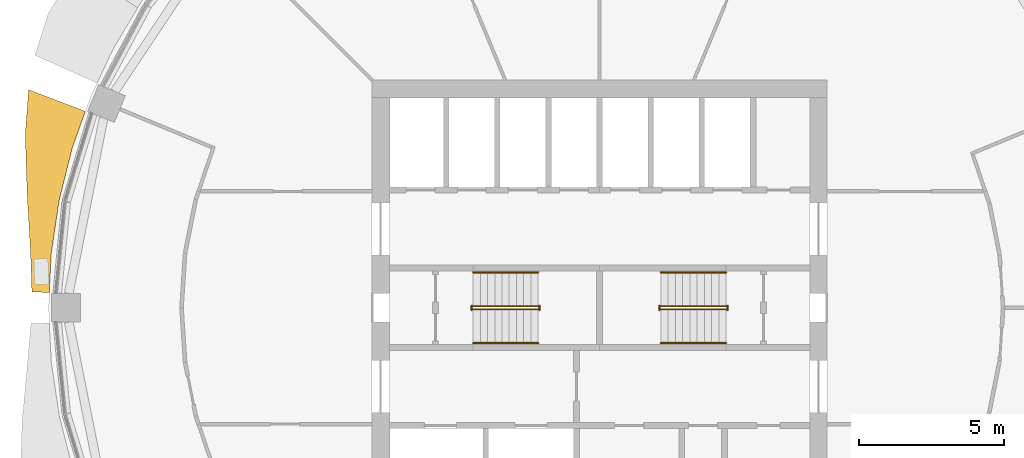
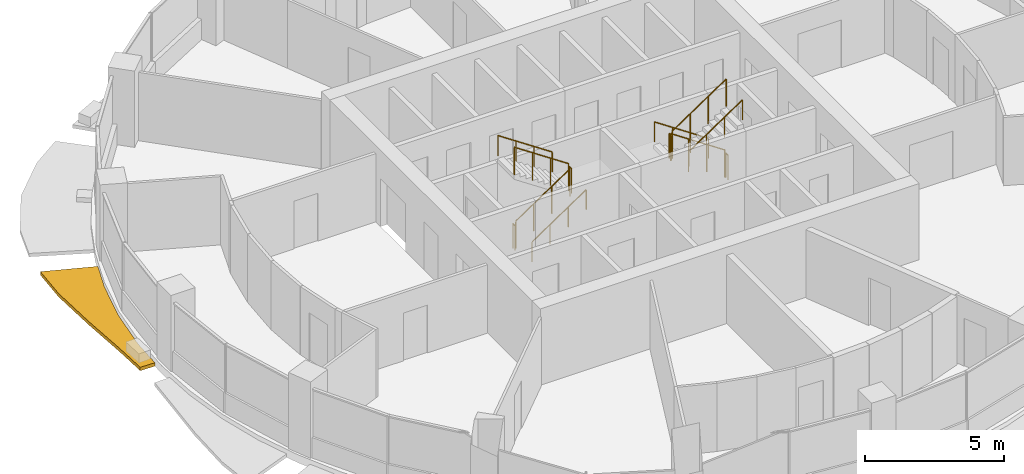
# One storey, part 13 of 15: 12 railings, 1 shading device.
"""IFC4 building model written with IfcOpenShell, lengths in metres."""

import ifcopenshell
import ifcopenshell.guid

model = None  # the IFC model being written
_history = None  # IfcOwnerHistory: only IFC2X3 demands one
_inside = {}  # id of a spatial element -> (the spatial element, [elements in it])
_under = {}  # id of a project, library or spatial element -> (it, [spatial elements below it])
_declared = {}  # id of a project -> (the project, [libraries it declares])
_typed = {}  # id of a type object -> (the type object, [elements of that type])
_made_of = {}  # id of a material, layer set ... -> (it, [elements and type objects made of it])


def new_model(schema):
    """Start an empty IFC model of exactly this schema.

    Asked for "IFC4X3", IfcOpenShell would pick the latest addendum, in which some entities
    have other attributes; the version numbers below select the first issue.
    IFC2X3 requires an IfcOwnerHistory on every rooted entity: one is made here for all.
    """
    global model, _history
    if schema == "IFC4X3":
        model = ifcopenshell.file(schema_version=(4, 3, 0, 0))
    else:
        model = ifcopenshell.file(schema=schema)
    _inside.clear()
    _under.clear()
    _declared.clear()
    _typed.clear()
    _made_of.clear()
    _history = None
    if model.schema == "IFC2X3":
        org = make("IfcOrganization", Name="unknown")
        user = make(
            "IfcPersonAndOrganization",
            ThePerson=make("IfcPerson", FamilyName="unknown"),
            TheOrganization=org,
        )
        app = make(
            "IfcApplication",
            ApplicationDeveloper=org,
            Version="unknown",
            ApplicationFullName="unknown",
            ApplicationIdentifier="unknown",
        )
        _history = make(
            "IfcOwnerHistory",
            OwningUser=user,
            OwningApplication=app,
            ChangeAction="ADDED",
            CreationDate=0,
        )
    return model


def make(cls, **values):
    """One entity of the class cls with the attributes given. An attribute that is None is left unset."""
    return model.create_entity(
        cls, **{name: value for name, value in values.items() if value is not None}
    )


def rooted(cls, **values):
    """An entity with a GlobalId (a new one), such as an element, a storey or a relation."""
    return make(cls, GlobalId=ifcopenshell.guid.new(), OwnerHistory=_history, **values)


def si_unit(unit_type, name, prefix=None):
    """IfcSIUnit, for example si_unit("LENGTHUNIT", "METRE", prefix="MILLI")."""
    return make("IfcSIUnit", UnitType=unit_type, Prefix=prefix, Name=name)


def assignment(units):
    """IfcUnitAssignment: the units of a project."""
    return None if units is None else make("IfcUnitAssignment", Units=units)


def point(xyz):
    """IfcCartesianPoint."""
    return None if xyz is None else make("IfcCartesianPoint", Coordinates=xyz)


def direction(xyz):
    """IfcDirection."""
    return None if xyz is None else make("IfcDirection", DirectionRatios=xyz)


def frame(location, z_axis=None, x_axis=None):
    """IfcAxis2Placement3D, a coordinate frame: its origin and axes. An axis left out is left unset."""
    return make(
        "IfcAxis2Placement3D",
        Location=point(location),
        Axis=direction(z_axis),
        RefDirection=direction(x_axis),
    )


def frame_2d(location, x_axis=None):
    """IfcAxis2Placement2D, a coordinate frame in the plane: its origin and x axis."""
    return make(
        "IfcAxis2Placement2D", Location=point(location), RefDirection=direction(x_axis)
    )


def origin():
    """The frame at (0, 0, 0) with its axes left unset."""
    return frame((0.0, 0.0, 0.0))


def origin_2d():
    """The frame at (0, 0) in the plane with its x axis left unset."""
    return frame_2d((0.0, 0.0))


def place(relative_to, where):
    """IfcLocalPlacement: puts the frame where relative to a parent placement (None: the world)."""
    return make(
        "IfcLocalPlacement", PlacementRelTo=relative_to, RelativePlacement=where
    )


def context(
    kind, dimensions, precision=None, world=None, true_north=None, identifier=None
):
    """IfcGeometricRepresentationContext, for example the 3D "Model" context."""
    return make(
        "IfcGeometricRepresentationContext",
        ContextIdentifier=identifier,
        ContextType=kind,
        CoordinateSpaceDimension=dimensions,
        Precision=precision,
        WorldCoordinateSystem=world,
        TrueNorth=true_north,
    )


def subcontext(parent, identifier, kind, view, scale=None):
    """IfcGeometricRepresentationSubContext, for example "Body" below "Model"."""
    return make(
        "IfcGeometricRepresentationSubContext",
        ContextIdentifier=identifier,
        ContextType=kind,
        ParentContext=parent,
        TargetScale=scale,
        TargetView=view,
    )


def project(units=None, contexts=None):
    """IfcProject with its units and contexts."""
    return rooted(
        "IfcProject",
        Name="project",
        RepresentationContexts=contexts,
        UnitsInContext=assignment(units),
    )


def spatial(cls, under=None, at=None, **own):
    """A site, building, storey or space (cls), placed at a placement, below another one or the project."""
    s = rooted(cls, ObjectPlacement=at, **own)
    if under is not None:
        _under.setdefault(under.id(), (under, []))[1].append(s)
    return s


def polyline(points):
    """IfcPolyline through the points."""
    return make("IfcPolyline", Points=[point(p) for p in points])


def profile(cls, at=None, kind="AREA", **sizes):
    """A parametric profile (cls). Its sizes go by their IFC names, for example OverallWidth=200.0."""
    return make(cls, ProfileType=kind, Position=at, **sizes)


def circle(**sizes):
    """IfcCircleProfileDef."""
    return profile("IfcCircleProfileDef", **sizes)


def outline(outer, holes=None, kind="AREA"):
    """IfcArbitraryClosedProfileDef: a profile drawn as a closed curve; with holes, ...WithVoids."""
    if holes is None:
        return make("IfcArbitraryClosedProfileDef", ProfileType=kind, OuterCurve=outer)
    return make(
        "IfcArbitraryProfileDefWithVoids",
        ProfileType=kind,
        OuterCurve=outer,
        InnerCurves=holes,
    )


def extrude(swept, where, along, depth):
    """IfcExtrudedAreaSolid: the profile swept, set in the frame where, extruded along a direction by depth."""
    return make(
        "IfcExtrudedAreaSolid",
        SweptArea=swept,
        Position=where,
        ExtrudedDirection=direction(along),
        Depth=depth,
    )


def shape(context_of_items, identifier, shape_type, items):
    """IfcShapeRepresentation: the items that make up one representation, for example the "Body"."""
    return make(
        "IfcShapeRepresentation",
        ContextOfItems=context_of_items,
        RepresentationIdentifier=identifier,
        RepresentationType=shape_type,
        Items=items,
    )


def material(Name=None, Category=None):
    """IfcMaterial."""
    return make("IfcMaterial", Name=Name, Category=Category)


def made_of(thing, what):
    """Note that an element or type object is made of a material, layer set ...; save() writes the relation."""
    if what is not None:
        _made_of.setdefault(what.id(), (what, []))[1].append(thing)
    return thing


def type_object(cls, material=None, **own):
    """A type object (cls), such as IfcWallType, which elements share."""
    return made_of(rooted(cls, **own), material)


def element(
    cls,
    number,
    at=None,
    inside=None,
    cuts=None,
    type_object=None,
    material=None,
    context=None,
    identifier="Body",
    shape_type=None,
    held_by="IfcProductDefinitionShape",
    body=None,
    shapes=None,
    **own,
):
    """One element of the class cls, such as IfcWall. Its Tag is "e" and its number.

    at: its placement. inside: the storey or other place that contains it. cuts: it is an
    opening in that element (IfcRelVoidsElement). A single representation is given by context,
    identifier, shape_type and body (its items); several are given by shapes. held_by: the class
    of the entity that holds the representations. save() writes the other relations.
    """
    e = rooted(cls, Tag="e%d" % number, ObjectPlacement=at, **own)
    if body is not None:
        shapes = [shape(context, identifier, shape_type, body)]
    if shapes is not None:
        e.Representation = make(held_by, Representations=shapes)
    if inside is not None:
        _inside.setdefault(inside.id(), (inside, []))[1].append(e)
    if cuts is not None:
        rooted(
            "IfcRelVoidsElement", RelatingBuildingElement=cuts, RelatedOpeningElement=e
        )
    if type_object is not None:
        _typed.setdefault(type_object.id(), (type_object, []))[1].append(e)
    return made_of(e, material)


def aggregate(whole, parts):
    """IfcRelAggregates: a whole, such as a stair, and the parts it consists of."""
    return rooted("IfcRelAggregates", RelatingObject=whole, RelatedObjects=parts)


def save(model, path):
    """Write the relations noted so far, then the file.

    IfcRelAggregates (storeys below a building ...), IfcRelContainedInSpatialStructure (elements
    in a storey), IfcRelDefinesByType, IfcRelAssociatesMaterial and IfcRelDeclares: one each for
    every whole, place, type object, material and project.
    """
    for whole, parts in _under.values():
        aggregate(whole, parts)
    for where, things in _inside.values():
        rooted(
            "IfcRelContainedInSpatialStructure",
            RelatedElements=things,
            RelatingStructure=where,
        )
    for kind, things in _typed.values():
        rooted("IfcRelDefinesByType", RelatedObjects=things, RelatingType=kind)
    for what, things in _made_of.values():
        rooted("IfcRelAssociatesMaterial", RelatedObjects=things, RelatingMaterial=what)
    for by, libraries in _declared.values():
        rooted("IfcRelDeclares", RelatingContext=by, RelatedDefinitions=libraries)
    model.write(path)


model = new_model("IFC4")

# Units and contexts
model_context = context("Model", 3, precision=1e-05, world=origin(), true_north=direction((0.0, 1.0)))
body_context = subcontext(model_context, "Body", "Model", "MODEL_VIEW")
ifc_project = project(units=[si_unit("LENGTHUNIT", "METRE"), si_unit("AREAUNIT", "SQUARE_METRE"), si_unit("VOLUMEUNIT", "CUBIC_METRE"), si_unit("PLANEANGLEUNIT", "RADIAN"), si_unit("MASSUNIT", "GRAM", prefix="KILO")], contexts=[model_context])

# Site, building, storey
site_placement = place(None, origin())
site = spatial("IfcSite", under=ifc_project, at=site_placement, CompositionType="ELEMENT")
building_placement = place(site_placement, origin())
building = spatial("IfcBuilding", under=site, at=building_placement, Name="Polderwave Tower", CompositionType="ELEMENT")
storey_placement = place(building_placement, frame((0.0, 0.0, 120.949951171875)))
storey = spatial("IfcBuildingStorey", under=building, at=storey_placement, Name="L31", CompositionType="ELEMENT", Elevation=120.949951171875)

# Railings
ifc_material_1 = material(Name="Stainless steel", Category="steel")
railing_type_1 = type_object("IfcRailingType", Name="Stair guard 1100", PredefinedType="GUARDRAIL", material=ifc_material_1)
railing_1_placement = place(storey_placement, frame((-4.3740234375, -0.051025390625, 0.04736328125)))
element("IfcRailing", 1, at=railing_1_placement, inside=storey, type_object=railing_type_1, Name="L31 ST-A stair guard 1", PredefinedType="GUARDRAIL", context=body_context, shape_type="SweptSolid", body=[
    extrude(circle(Radius=0.02392578125, at=origin_2d()), frame((0.0, 0.0, 1.1962890625), z_axis=(0.830758306289, 0.0, 0.556633305266), x_axis=(0.0, 1.0, 0.0)), (0.0, 0.0, 1.0), 2.708251953125),
    extrude(circle(Radius=0.02392578125, at=origin_2d()), origin(), (0.0, 0.0, 1.0), 1.172119140625),
    extrude(circle(Radius=0.02392578125, at=origin_2d()), frame((0.75, 0.0, 0.50244140625)), (0.0, 0.0, 1.0), 1.172119140625),
    extrude(circle(Radius=0.02392578125, at=origin_2d()), frame((1.5, 0.0, 1.005126953125)), (0.0, 0.0, 1.0), 1.172119140625),
    extrude(circle(Radius=0.02392578125, at=origin_2d()), frame((2.25, 0.0, 1.507568359375)), (0.0, 0.0, 1.0), 1.172119140625),
])
railing_2_placement = place(storey_placement, frame((-2.073974609375, -0.074951171875, 1.675048828125)))
element("IfcRailing", 2, at=railing_2_placement, inside=storey, type_object=railing_type_1, Name="L31 ST-A stair guard 2", PredefinedType="GUARDRAIL", context=body_context, shape_type="SweptSolid", body=[
    extrude(circle(Radius=0.02392578125, at=origin_2d()), frame((0.0, 0.0, 1.076171875), z_axis=(0.0, 1.0, 0.0), x_axis=(-1.0, 0.0, 0.0)), (0.0, 0.0, 1.0), 0.14990234375),
    extrude(circle(Radius=0.02099609375, at=origin_2d()), origin(), (0.0, 0.0, 1.0), 1.052001953125),
    extrude(circle(Radius=0.02099609375, at=origin_2d()), frame((0.0, 0.14990234375, 0.0)), (0.0, 0.0, 1.0), 1.052001953125),
])
railing_3_placement = place(storey_placement, frame((-2.1240234375, 0.051025390625, 1.722412109375)))
element("IfcRailing", 3, at=railing_3_placement, inside=storey, type_object=railing_type_1, Name="L31 ST-A stair guard 3", PredefinedType="GUARDRAIL", context=body_context, shape_type="SweptSolid", body=[
    extrude(circle(Radius=0.02392578125, at=origin_2d()), frame((0.0, 0.0, 1.1962890625), z_axis=(-0.830758306289, 0.0, 0.556633305266), x_axis=(0.0, -1.0, 0.0)), (0.0, 0.0, 1.0), 2.708251953125),
    extrude(circle(Radius=0.02392578125, at=origin_2d()), origin(), (0.0, 0.0, 1.0), 1.172119140625),
    extrude(circle(Radius=0.02392578125, at=origin_2d()), frame((-0.75, 0.0, 0.50244140625)), (0.0, 0.0, 1.0), 1.172119140625),
    extrude(circle(Radius=0.02392578125, at=origin_2d()), frame((-1.5, 0.0, 1.005126953125)), (0.0, 0.0, 1.0), 1.172119140625),
    extrude(circle(Radius=0.02392578125, at=origin_2d()), frame((-2.25, 0.0, 1.507568359375)), (0.0, 0.0, 1.0), 1.172119140625),
])
railing_4_placement = place(storey_placement, frame((-4.424072265625, -0.074951171875, 0.0)))
element("IfcRailing", 4, at=railing_4_placement, inside=storey, type_object=railing_type_1, Name="L31 ST-A stair guard 4", PredefinedType="GUARDRAIL", context=body_context, shape_type="SweptSolid", body=[
    extrude(circle(Radius=0.02392578125, at=origin_2d()), frame((0.0, 0.0, 1.076171875), z_axis=(0.0, 1.0, 0.0), x_axis=(-1.0, 0.0, 0.0)), (0.0, 0.0, 1.0), 0.14990234375),
    extrude(circle(Radius=0.02099609375, at=origin_2d()), origin(), (0.0, 0.0, 1.0), 1.052001953125),
    extrude(circle(Radius=0.02099609375, at=origin_2d()), frame((0.0, 0.14990234375, 0.0)), (0.0, 0.0, 1.0), 1.052001953125),
])
railing_5_placement = place(storey_placement, frame((4.3740234375, 0.051025390625, 0.04736328125)))
element("IfcRailing", 5, at=railing_5_placement, inside=storey, type_object=railing_type_1, Name="L31 ST-B stair guard 1", PredefinedType="GUARDRAIL", context=body_context, shape_type="SweptSolid", body=[
    extrude(circle(Radius=0.02392578125, at=origin_2d()), frame((0.0, 0.0, 1.1962890625), z_axis=(-0.830758306289, 0.0, 0.556633305266), x_axis=(0.0, -1.0, 0.0)), (0.0, 0.0, 1.0), 2.708251953125),
    extrude(circle(Radius=0.02392578125, at=origin_2d()), origin(), (0.0, 0.0, 1.0), 1.172119140625),
    extrude(circle(Radius=0.02392578125, at=origin_2d()), frame((-0.75, 0.0, 0.50244140625)), (0.0, 0.0, 1.0), 1.172119140625),
    extrude(circle(Radius=0.02392578125, at=origin_2d()), frame((-1.5, 0.0, 1.005126953125)), (0.0, 0.0, 1.0), 1.172119140625),
    extrude(circle(Radius=0.02392578125, at=origin_2d()), frame((-2.25, 0.0, 1.507568359375)), (0.0, 0.0, 1.0), 1.172119140625),
])
railing_6_placement = place(storey_placement, frame((2.073974609375, 0.074951171875, 1.675048828125)))
element("IfcRailing", 6, at=railing_6_placement, inside=storey, type_object=railing_type_1, Name="L31 ST-B stair guard 2", PredefinedType="GUARDRAIL", context=body_context, shape_type="SweptSolid", body=[
    extrude(circle(Radius=0.02392578125, at=origin_2d()), frame((0.0, 0.0, 1.076171875), z_axis=(0.0, -1.0, 0.0), x_axis=(1.0, 0.0, 0.0)), (0.0, 0.0, 1.0), 0.14990234375),
    extrude(circle(Radius=0.02099609375, at=origin_2d()), origin(), (0.0, 0.0, 1.0), 1.052001953125),
    extrude(circle(Radius=0.02099609375, at=origin_2d()), frame((0.0, -0.14990234375, 0.0)), (0.0, 0.0, 1.0), 1.052001953125),
])
railing_7_placement = place(storey_placement, frame((2.1240234375, -0.051025390625, 1.722412109375)))
element("IfcRailing", 7, at=railing_7_placement, inside=storey, type_object=railing_type_1, Name="L31 ST-B stair guard 3", PredefinedType="GUARDRAIL", context=body_context, shape_type="SweptSolid", body=[
    extrude(circle(Radius=0.02392578125, at=origin_2d()), frame((0.0, 0.0, 1.1962890625), z_axis=(0.830758306289, 0.0, 0.556633305266), x_axis=(0.0, 1.0, 0.0)), (0.0, 0.0, 1.0), 2.708251953125),
    extrude(circle(Radius=0.02392578125, at=origin_2d()), origin(), (0.0, 0.0, 1.0), 1.172119140625),
    extrude(circle(Radius=0.02392578125, at=origin_2d()), frame((0.75, 0.0, 0.50244140625)), (0.0, 0.0, 1.0), 1.172119140625),
    extrude(circle(Radius=0.02392578125, at=origin_2d()), frame((1.5, 0.0, 1.005126953125)), (0.0, 0.0, 1.0), 1.172119140625),
    extrude(circle(Radius=0.02392578125, at=origin_2d()), frame((2.25, 0.0, 1.507568359375)), (0.0, 0.0, 1.0), 1.172119140625),
])
railing_8_placement = place(storey_placement, frame((4.424072265625, 0.074951171875, 0.0)))
element("IfcRailing", 8, at=railing_8_placement, inside=storey, type_object=railing_type_1, Name="L31 ST-B stair guard 4", PredefinedType="GUARDRAIL", context=body_context, shape_type="SweptSolid", body=[
    extrude(circle(Radius=0.02392578125, at=origin_2d()), frame((0.0, 0.0, 1.076171875), z_axis=(0.0, -1.0, 0.0), x_axis=(1.0, 0.0, 0.0)), (0.0, 0.0, 1.0), 0.14990234375),
    extrude(circle(Radius=0.02099609375, at=origin_2d()), origin(), (0.0, 0.0, 1.0), 1.052001953125),
    extrude(circle(Radius=0.02099609375, at=origin_2d()), frame((0.0, -0.14990234375, 0.0)), (0.0, 0.0, 1.0), 1.052001953125),
])
railing_type_2 = type_object("IfcRailingType", Name="Stair handrail 900", PredefinedType="HANDRAIL", material=ifc_material_1)
railing_9_placement = place(storey_placement, frame((-4.3740234375, -1.22509765625, 0.16748046875)))
element("IfcRailing", 9, at=railing_9_placement, inside=storey, type_object=railing_type_2, Name="L31 ST-A stair handrail 1", PredefinedType="HANDRAIL", context=body_context, shape_type="SweptSolid", body=[
    extrude(circle(Radius=0.02392578125, at=origin_2d()), frame((0.0, 0.0, 0.8759765625), z_axis=(0.830758306289, 0.0, 0.556633305266), x_axis=(0.0, 1.0, 0.0)), (0.0, 0.0, 1.0), 2.708251953125),
    extrude(circle(Radius=0.02099609375, at=origin_2d()), origin(), (0.0, 0.0, 1.0), 0.851806640625),
    extrude(circle(Radius=0.02099609375, at=origin_2d()), frame((0.75, 0.0, 0.50244140625)), (0.0, 0.0, 1.0), 0.851806640625),
    extrude(circle(Radius=0.02099609375, at=origin_2d()), frame((1.5, 0.0, 1.005126953125)), (0.0, 0.0, 1.0), 0.851806640625),
    extrude(circle(Radius=0.02099609375, at=origin_2d()), frame((2.25, 0.0, 1.507568359375)), (0.0, 0.0, 1.0), 0.851806640625),
])
for number, where, name in (
    (10, (-2.1240234375, 1.22509765625, 1.842529296875), "L31 ST-A stair handrail 2"),
    (11, (4.3740234375, 1.22509765625, 0.16748046875), "L31 ST-B stair handrail 1"),
):
    element("IfcRailing", number, at=place(storey_placement, frame(where)), inside=storey, type_object=railing_type_2, Name=name, PredefinedType="HANDRAIL", context=body_context, shape_type="SweptSolid", body=[
        extrude(circle(Radius=0.02392578125, at=origin_2d()), frame((0.0, 0.0, 0.8759765625), z_axis=(-0.830758306289, 0.0, 0.556633305266), x_axis=(0.0, -1.0, 0.0)), (0.0, 0.0, 1.0), 2.708251953125),
        extrude(circle(Radius=0.02099609375, at=origin_2d()), origin(), (0.0, 0.0, 1.0), 0.851806640625),
        extrude(circle(Radius=0.02099609375, at=origin_2d()), frame((-0.75, 0.0, 0.50244140625)), (0.0, 0.0, 1.0), 0.851806640625),
        extrude(circle(Radius=0.02099609375, at=origin_2d()), frame((-1.5, 0.0, 1.005126953125)), (0.0, 0.0, 1.0), 0.851806640625),
        extrude(circle(Radius=0.02099609375, at=origin_2d()), frame((-2.25, 0.0, 1.507568359375)), (0.0, 0.0, 1.0), 0.851806640625),
    ])
railing_10_placement = place(storey_placement, frame((2.1240234375, -1.22509765625, 1.842529296875)))
element("IfcRailing", 12, at=railing_10_placement, inside=storey, type_object=railing_type_2, Name="L31 ST-B stair handrail 2", PredefinedType="HANDRAIL", context=body_context, shape_type="SweptSolid", body=[
    extrude(circle(Radius=0.02392578125, at=origin_2d()), frame((0.0, 0.0, 0.8759765625), z_axis=(0.830758306289, 0.0, 0.556633305266), x_axis=(0.0, 1.0, 0.0)), (0.0, 0.0, 1.0), 2.708251953125),
    extrude(circle(Radius=0.02099609375, at=origin_2d()), origin(), (0.0, 0.0, 1.0), 0.851806640625),
    extrude(circle(Radius=0.02099609375, at=origin_2d()), frame((0.75, 0.0, 0.50244140625)), (0.0, 0.0, 1.0), 0.851806640625),
    extrude(circle(Radius=0.02099609375, at=origin_2d()), frame((1.5, 0.0, 1.005126953125)), (0.0, 0.0, 1.0), 0.851806640625),
    extrude(circle(Radius=0.02099609375, at=origin_2d()), frame((2.25, 0.0, 1.507568359375)), (0.0, 0.0, 1.0), 0.851806640625),
])

# Shading device
ifc_material_2 = material(Name="Terracotta", Category="masonry")
shading_device_type = type_object("IfcShadingDeviceType", Name="Terracotta sunshade band", PredefinedType="USERDEFINED", material=ifc_material_2)
shading_device_placement = place(storey_placement, frame((0.0, 0.0, -0.349853515625)))
element("IfcShadingDevice", 13, at=shading_device_placement, inside=storey, type_object=shading_device_type, Name="Sunshade band L31 8", ObjectType="SUNSHADE", PredefinedType="USERDEFINED", context=body_context, shape_type="SweptSolid", body=[
    extrude(outline(polyline([(-17.787841796875, 6.79443359375), (-18.2392578125, 5.53271484375), (-18.69384765625, 3.718505859375), (-18.96826171875, 1.8681640625), (-19.033935546875, 0.52978515625), (-19.63623046875, 0.546630859375), (-19.68310546875, 1.938720703125), (-19.801513671875, 3.938720703125), (-19.864990234375, 6.02587890625), (-19.74755859375, 7.54296875), (-17.787841796875, 6.79443359375)])), origin(), (0.0, 0.0, 1.0), 0.14990234375),
])

save(model, "model.ifc")
